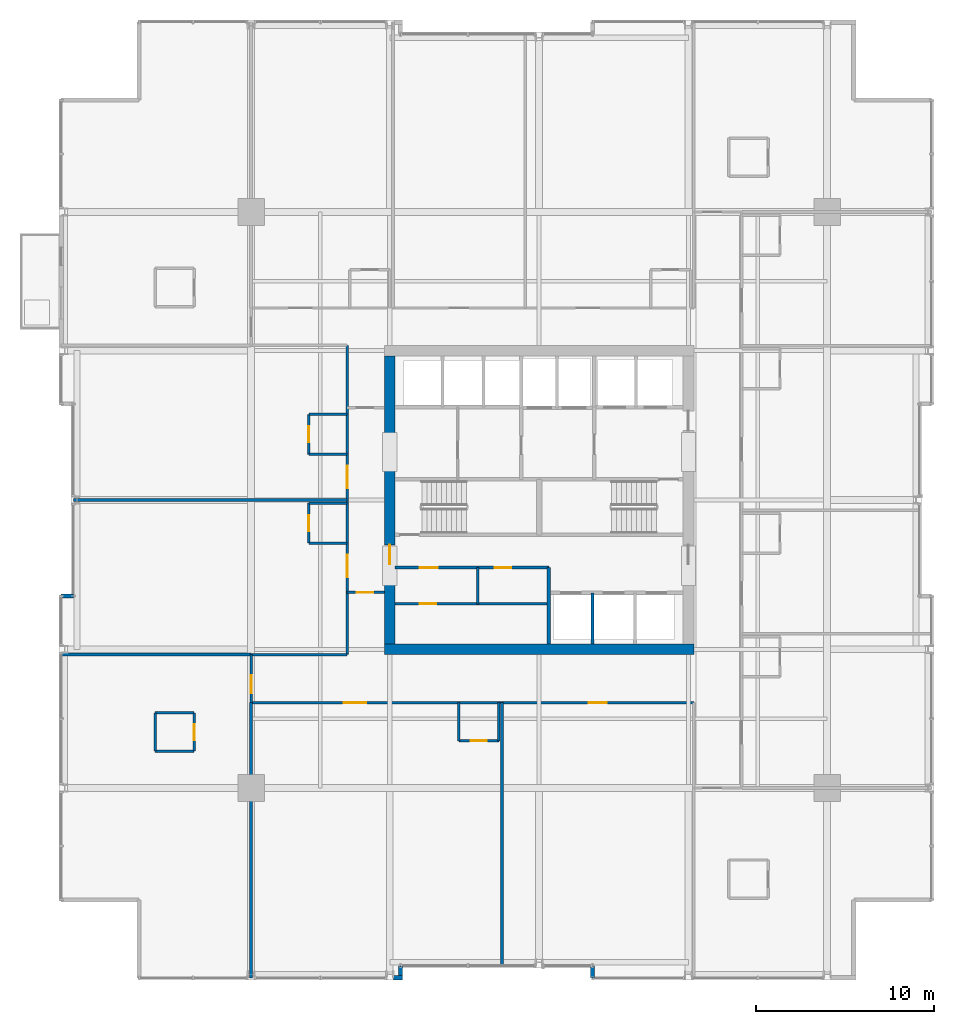
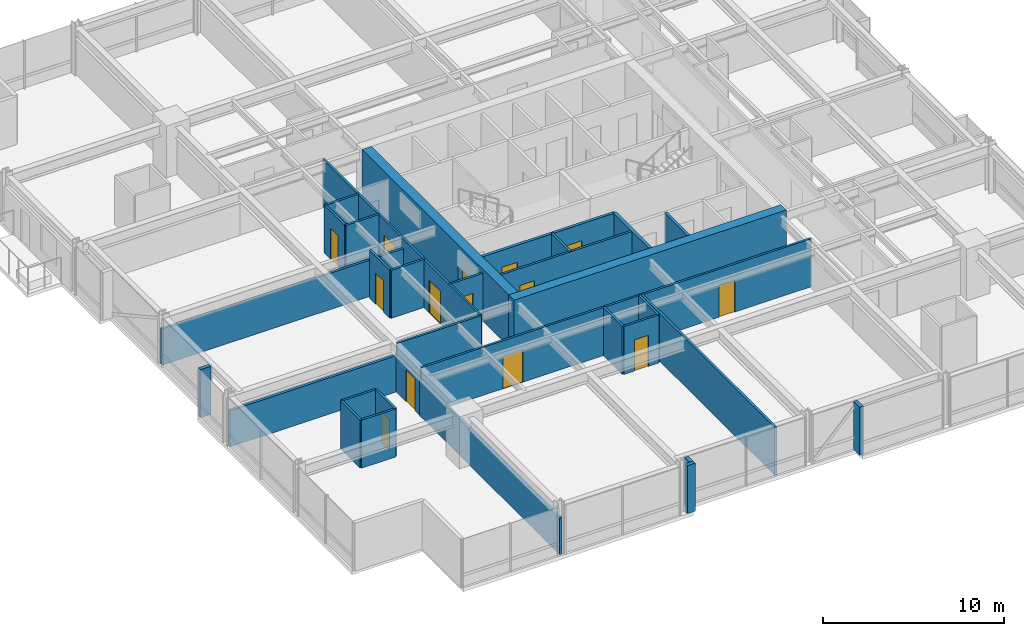
# One storey, part 28 of 34: 33 walls, 14 doors, 14 openings.
"""IFC4 building model written with IfcOpenShell, lengths in metres."""

import ifcopenshell
import ifcopenshell.guid

model = None  # the IFC model being written
_history = None  # IfcOwnerHistory: only IFC2X3 demands one
_inside = {}  # id of a spatial element -> (the spatial element, [elements in it])
_under = {}  # id of a project, library or spatial element -> (it, [spatial elements below it])
_declared = {}  # id of a project -> (the project, [libraries it declares])
_typed = {}  # id of a type object -> (the type object, [elements of that type])
_made_of = {}  # id of a material, layer set ... -> (it, [elements and type objects made of it])


def new_model(schema):
    """Start an empty IFC model of exactly this schema.

    Asked for "IFC4X3", IfcOpenShell would pick the latest addendum, in which some entities
    have other attributes; the version numbers below select the first issue.
    IFC2X3 requires an IfcOwnerHistory on every rooted entity: one is made here for all.
    """
    global model, _history
    if schema == "IFC4X3":
        model = ifcopenshell.file(schema_version=(4, 3, 0, 0))
    else:
        model = ifcopenshell.file(schema=schema)
    _inside.clear()
    _under.clear()
    _declared.clear()
    _typed.clear()
    _made_of.clear()
    _history = None
    if model.schema == "IFC2X3":
        org = make("IfcOrganization", Name="unknown")
        user = make(
            "IfcPersonAndOrganization",
            ThePerson=make("IfcPerson", FamilyName="unknown"),
            TheOrganization=org,
        )
        app = make(
            "IfcApplication",
            ApplicationDeveloper=org,
            Version="unknown",
            ApplicationFullName="unknown",
            ApplicationIdentifier="unknown",
        )
        _history = make(
            "IfcOwnerHistory",
            OwningUser=user,
            OwningApplication=app,
            ChangeAction="ADDED",
            CreationDate=0,
        )
    return model


def make(cls, **values):
    """One entity of the class cls with the attributes given. An attribute that is None is left unset."""
    return model.create_entity(
        cls, **{name: value for name, value in values.items() if value is not None}
    )


def rooted(cls, **values):
    """An entity with a GlobalId (a new one), such as an element, a storey or a relation."""
    return make(cls, GlobalId=ifcopenshell.guid.new(), OwnerHistory=_history, **values)


def si_unit(unit_type, name, prefix=None):
    """IfcSIUnit, for example si_unit("LENGTHUNIT", "METRE", prefix="MILLI")."""
    return make("IfcSIUnit", UnitType=unit_type, Prefix=prefix, Name=name)


def assignment(units):
    """IfcUnitAssignment: the units of a project."""
    return None if units is None else make("IfcUnitAssignment", Units=units)


def point(xyz):
    """IfcCartesianPoint."""
    return None if xyz is None else make("IfcCartesianPoint", Coordinates=xyz)


def direction(xyz):
    """IfcDirection."""
    return None if xyz is None else make("IfcDirection", DirectionRatios=xyz)


def frame(location, z_axis=None, x_axis=None):
    """IfcAxis2Placement3D, a coordinate frame: its origin and axes. An axis left out is left unset."""
    return make(
        "IfcAxis2Placement3D",
        Location=point(location),
        Axis=direction(z_axis),
        RefDirection=direction(x_axis),
    )


def frame_2d(location, x_axis=None):
    """IfcAxis2Placement2D, a coordinate frame in the plane: its origin and x axis."""
    return make(
        "IfcAxis2Placement2D", Location=point(location), RefDirection=direction(x_axis)
    )


def origin():
    """The frame at (0, 0, 0) with its axes left unset."""
    return frame((0.0, 0.0, 0.0))


def place(relative_to, where):
    """IfcLocalPlacement: puts the frame where relative to a parent placement (None: the world)."""
    return make(
        "IfcLocalPlacement", PlacementRelTo=relative_to, RelativePlacement=where
    )


def context(
    kind, dimensions, precision=None, world=None, true_north=None, identifier=None
):
    """IfcGeometricRepresentationContext, for example the 3D "Model" context."""
    return make(
        "IfcGeometricRepresentationContext",
        ContextIdentifier=identifier,
        ContextType=kind,
        CoordinateSpaceDimension=dimensions,
        Precision=precision,
        WorldCoordinateSystem=world,
        TrueNorth=true_north,
    )


def subcontext(parent, identifier, kind, view, scale=None):
    """IfcGeometricRepresentationSubContext, for example "Body" below "Model"."""
    return make(
        "IfcGeometricRepresentationSubContext",
        ContextIdentifier=identifier,
        ContextType=kind,
        ParentContext=parent,
        TargetScale=scale,
        TargetView=view,
    )


def project(units=None, contexts=None):
    """IfcProject with its units and contexts."""
    return rooted(
        "IfcProject",
        Name="project",
        RepresentationContexts=contexts,
        UnitsInContext=assignment(units),
    )


def spatial(cls, under=None, at=None, **own):
    """A site, building, storey or space (cls), placed at a placement, below another one or the project."""
    s = rooted(cls, ObjectPlacement=at, **own)
    if under is not None:
        _under.setdefault(under.id(), (under, []))[1].append(s)
    return s


def profile(cls, at=None, kind="AREA", **sizes):
    """A parametric profile (cls). Its sizes go by their IFC names, for example OverallWidth=200.0."""
    return make(cls, ProfileType=kind, Position=at, **sizes)


def rectangle(**sizes):
    """IfcRectangleProfileDef."""
    return profile("IfcRectangleProfileDef", **sizes)


def extrude(swept, where, along, depth):
    """IfcExtrudedAreaSolid: the profile swept, set in the frame where, extruded along a direction by depth."""
    return make(
        "IfcExtrudedAreaSolid",
        SweptArea=swept,
        Position=where,
        ExtrudedDirection=direction(along),
        Depth=depth,
    )


def shape(context_of_items, identifier, shape_type, items):
    """IfcShapeRepresentation: the items that make up one representation, for example the "Body"."""
    return make(
        "IfcShapeRepresentation",
        ContextOfItems=context_of_items,
        RepresentationIdentifier=identifier,
        RepresentationType=shape_type,
        Items=items,
    )


def material(Name=None, Category=None):
    """IfcMaterial."""
    return make("IfcMaterial", Name=Name, Category=Category)


def layer(
    of_material, thickness, ventilated=None, Name=None, Category=None, Priority=None
):
    """IfcMaterialLayer: one layer of a wall or slab, of a material (None: an air gap)."""
    return make(
        "IfcMaterialLayer",
        Material=of_material,
        LayerThickness=thickness,
        IsVentilated=ventilated,
        Name=Name,
        Category=Category,
        Priority=Priority,
    )


def layer_set(layers, Name=None):
    """IfcMaterialLayerSet."""
    return make("IfcMaterialLayerSet", MaterialLayers=layers, LayerSetName=Name)


def made_of(thing, what):
    """Note that an element or type object is made of a material, layer set ...; save() writes the relation."""
    if what is not None:
        _made_of.setdefault(what.id(), (what, []))[1].append(thing)
    return thing


def type_object(cls, material=None, **own):
    """A type object (cls), such as IfcWallType, which elements share."""
    return made_of(rooted(cls, **own), material)


def element(
    cls,
    number,
    at=None,
    inside=None,
    cuts=None,
    type_object=None,
    material=None,
    context=None,
    identifier="Body",
    shape_type=None,
    held_by="IfcProductDefinitionShape",
    body=None,
    shapes=None,
    **own,
):
    """One element of the class cls, such as IfcWall. Its Tag is "e" and its number.

    at: its placement. inside: the storey or other place that contains it. cuts: it is an
    opening in that element (IfcRelVoidsElement). A single representation is given by context,
    identifier, shape_type and body (its items); several are given by shapes. held_by: the class
    of the entity that holds the representations. save() writes the other relations.
    """
    e = rooted(cls, Tag="e%d" % number, ObjectPlacement=at, **own)
    if body is not None:
        shapes = [shape(context, identifier, shape_type, body)]
    if shapes is not None:
        e.Representation = make(held_by, Representations=shapes)
    if inside is not None:
        _inside.setdefault(inside.id(), (inside, []))[1].append(e)
    if cuts is not None:
        rooted(
            "IfcRelVoidsElement", RelatingBuildingElement=cuts, RelatedOpeningElement=e
        )
    if type_object is not None:
        _typed.setdefault(type_object.id(), (type_object, []))[1].append(e)
    return made_of(e, material)


def fill(opening, filler):
    """IfcRelFillsElement: the door or window that sits in an opening."""
    return rooted(
        "IfcRelFillsElement",
        RelatingOpeningElement=opening,
        RelatedBuildingElement=filler,
    )


def aggregate(whole, parts):
    """IfcRelAggregates: a whole, such as a stair, and the parts it consists of."""
    return rooted("IfcRelAggregates", RelatingObject=whole, RelatedObjects=parts)


def save(model, path):
    """Write the relations noted so far, then the file.

    IfcRelAggregates (storeys below a building ...), IfcRelContainedInSpatialStructure (elements
    in a storey), IfcRelDefinesByType, IfcRelAssociatesMaterial and IfcRelDeclares: one each for
    every whole, place, type object, material and project.
    """
    for whole, parts in _under.values():
        aggregate(whole, parts)
    for where, things in _inside.values():
        rooted(
            "IfcRelContainedInSpatialStructure",
            RelatedElements=things,
            RelatingStructure=where,
        )
    for kind, things in _typed.values():
        rooted("IfcRelDefinesByType", RelatedObjects=things, RelatingType=kind)
    for what, things in _made_of.values():
        rooted("IfcRelAssociatesMaterial", RelatedObjects=things, RelatingMaterial=what)
    for by, libraries in _declared.values():
        rooted("IfcRelDeclares", RelatingContext=by, RelatedDefinitions=libraries)
    model.write(path)


model = new_model("IFC4")

# Units and contexts
model_context = context("Model", 3, precision=1e-05, world=origin(), true_north=direction((0.0, 1.0)))
body_context = subcontext(model_context, "Body", "Model", "MODEL_VIEW")
ifc_project = project(units=[si_unit("LENGTHUNIT", "METRE"), si_unit("AREAUNIT", "SQUARE_METRE"), si_unit("VOLUMEUNIT", "CUBIC_METRE"), si_unit("PLANEANGLEUNIT", "RADIAN"), si_unit("MASSUNIT", "GRAM", prefix="KILO")], contexts=[model_context])

# Site, building, storey
site_placement = place(None, origin())
site = spatial("IfcSite", under=ifc_project, at=site_placement, CompositionType="ELEMENT")
building_placement = place(site_placement, origin())
building = spatial("IfcBuilding", under=site, at=building_placement, Name="Drelvath Grand Hotel", CompositionType="ELEMENT")
storey_placement = place(building_placement, frame((0.0, 0.0, 109.300048828125)))
storey = spatial("IfcBuildingStorey", under=building, at=storey_placement, Name="L27", CompositionType="ELEMENT", Elevation=109.300048828125)

# Walls
ifc_material_1 = material(Name="Concrete C40/50", Category="concrete")
ifc_layer_1 = layer(ifc_material_1, 0.199951171875)
ifc_layer_set_1 = layer_set([ifc_layer_1], Name="Concrete C40/50")
wall_type_1 = type_object("IfcWallType", Name="Core Hoistway Fire Wall 200", PredefinedType="SOLIDWALL", material=ifc_layer_set_1)
wall_1_placement = place(storey_placement, frame((0.550048828125, 18.89990234375, 0.0), z_axis=(0.0, 0.0, 1.0), x_axis=(0.0, 1.0, 0.0)))
element("IfcWall", 1, at=wall_1_placement, inside=storey, type_object=wall_type_1, Name="L27 Bank 2 West Wall", PredefinedType="SOLIDWALL", context=body_context, shape_type="SweptSolid", body=[
    extrude(rectangle(XDim=4.300048828125, YDim=0.199951171875, at=frame_2d((2.14990234375, 0.0))), origin(), (0.0, 0.0, 1.0), 3.239990234375),
])
ifc_material_2 = material(Name="Gypsum Fireboard Partition")
ifc_layer_2 = layer(ifc_material_2, 0.1650390625)
ifc_layer_set_2 = layer_set([ifc_layer_2], Name="Gypsum Fireboard Partition")
wall_type_2 = type_object("IfcWallType", Name="Core Shaft Partition 165", PredefinedType="PARTITIONING", material=ifc_layer_set_2)
wall_2_placement = place(storey_placement, frame((3.0, 18.89990234375, 0.0), z_axis=(0.0, 0.0, 1.0), x_axis=(0.0, 1.0, 0.0)))
element("IfcWall", 2, at=wall_2_placement, inside=storey, type_object=wall_type_2, Name="L27 Lift PE-4/5 Divider", PredefinedType="PARTITIONING", context=body_context, shape_type="SweptSolid", body=[
    extrude(rectangle(XDim=2.880126953125, YDim=0.1650390625, at=frame_2d((1.43994140625, 0.0))), origin(), (0.0, 0.0, 1.0), 3.239990234375),
])

# Wall, opening, door
ifc_layer_3 = layer(ifc_material_2, 0.135009765625)
ifc_layer_set_3 = layer_set([ifc_layer_3], Name="Gypsum Fireboard Partition")
wall_type_3 = type_object("IfcWallType", Name="Corridor Fire Barrier Wall 135", PredefinedType="PARTITIONING", material=ifc_layer_set_3)
wall_3_placement = place(storey_placement, frame((-10.800048828125, 21.800048828125, 0.0), z_axis=(0.0, 0.0, 1.0), x_axis=(1.0, 0.0, 0.0)))
wall_3 = element("IfcWall", 3, at=wall_3_placement, inside=storey, type_object=wall_type_3, Name="L27 West Foyer South Wall", PredefinedType="PARTITIONING", context=body_context, shape_type="SweptSolid", body=[
    extrude(rectangle(XDim=2.10009765625, YDim=0.135009765625, at=frame_2d((1.050048828125, 0.0))), origin(), (0.0, 0.0, 1.0), 3.239990234375),
])
opening_1_placement = place(wall_3_placement, frame((0.550048828125, 0.0, 0.0)))
opening_1 = element("IfcOpeningElement", 4, at=opening_1_placement, cuts=wall_3, Name="Opening D-T2G2-019", PredefinedType="OPENING", context=body_context, shape_type="SweptSolid", body=[
    extrude(rectangle(XDim=0.919921875, YDim=2.10009765625, at=frame_2d((0.4599609375, 1.050048828125))), frame((0.0, 0.077392578125, 0.0), z_axis=(0.0, -1.0, 0.0), x_axis=(1.0, 0.0, 0.0)), (0.0, 0.0, 1.0), 0.155029296875),
])
ifc_material_3 = material(Name="Painted Steel S275", Category="steel")
door_type_1 = type_object("IfcDoorType", Name="Staff Utility Door 920x2100", OperationType="NOTDEFINED", PredefinedType="DOOR", material=ifc_material_3)
door_1_placement = place(opening_1_placement, origin())
door_1 = element("IfcDoor", 5, at=door_1_placement, inside=storey, type_object=door_type_1, Name="L27 West Linen Closet Door", OperationType="SINGLE_SWING_RIGHT", OverallHeight=2.10009765625, OverallWidth=0.919921875, PredefinedType="DOOR", context=body_context, shape_type="SweptSolid", body=[
    extrude(rectangle(XDim=0.919921875, YDim=2.10009765625, at=frame_2d((0.4599609375, 1.050048828125))), frame((0.0, 0.02490234375, 0.0), z_axis=(0.0, -1.0, 0.0), x_axis=(1.0, 0.0, 0.0)), (0.0, 0.0, 1.0), 0.050048828125),
])
fill(opening_1, door_1)

# Wall
wall_4_placement = place(storey_placement, frame((-16.199951171875, 18.300048828125, 0.0), z_axis=(0.0, 0.0, 1.0), x_axis=(1.0, 0.0, 0.0)))
element("IfcWall", 6, at=wall_4_placement, inside=storey, type_object=wall_type_3, Name="L27 SW Stub North Wall", PredefinedType="PARTITIONING", context=body_context, shape_type="SweptSolid", body=[
    extrude(rectangle(XDim=5.39990234375, YDim=0.135009765625, at=frame_2d((2.699951171875, 0.0))), origin(), (0.0, 0.0, 1.0), 3.239990234375),
])

# Wall, openings, doors
wall_5_placement = place(storey_placement, frame((-16.199951171875, 15.60009765625, 0.0), z_axis=(0.0, 0.0, 1.0), x_axis=(1.0, 0.0, 0.0)))
wall_5 = element("IfcWall", 7, at=wall_5_placement, inside=storey, type_object=wall_type_3, Name="L27 South Stub Corridor Wall", PredefinedType="PARTITIONING", context=body_context, shape_type="SweptSolid", body=[
    extrude(rectangle(XDim=24.89990234375, YDim=0.135009765625, at=frame_2d((12.449951171875, 0.0))), origin(), (0.0, 0.0, 1.0), 3.239990234375),
])
opening_2_placement = place(wall_5_placement, frame((5.2099609375, 0.0, 0.0)))
opening_2 = element("IfcOpeningElement", 8, at=opening_2_placement, cuts=wall_5, Name="Opening D-T2G2-030", PredefinedType="OPENING", context=body_context, shape_type="SweptSolid", body=[
    extrude(rectangle(XDim=1.260009765625, YDim=2.199951171875, at=frame_2d((0.6298828125, 1.10009765625))), frame((0.0, 0.077392578125, 0.0), z_axis=(0.0, -1.0, 0.0), x_axis=(1.0, 0.0, 0.0)), (0.0, 0.0, 1.0), 0.155029296875),
])
opening_3_placement = place(wall_5_placement, frame((18.9951171875, 0.0, 0.0)))
opening_3 = element("IfcOpeningElement", 9, at=opening_3_placement, cuts=wall_5, Name="Opening D-T2G2-031", PredefinedType="OPENING", context=body_context, shape_type="SweptSolid", body=[
    extrude(rectangle(XDim=1.02001953125, YDim=2.14990234375, at=frame_2d((0.510009765625, 1.074951171875))), frame((0.0, 0.077392578125, 0.0), z_axis=(0.0, -1.0, 0.0), x_axis=(1.0, 0.0, 0.0)), (0.0, 0.0, 1.0), 0.155029296875),
])
ifc_material_4 = material(Name="Hardwood Walnut Timber", Category="wood")
door_type_2 = type_object("IfcDoorType", Name="Amenity Meeting Fire Door 1020x2150", OperationType="NOTDEFINED", PredefinedType="DOOR", material=ifc_material_4)
door_2_placement = place(opening_3_placement, origin())
door_2 = element("IfcDoor", 10, at=door_2_placement, inside=storey, type_object=door_type_2, Name="L27 Wellness Yoga Studio Entry Door", OperationType="SINGLE_SWING_RIGHT", OverallHeight=2.14990234375, OverallWidth=1.02001953125, PredefinedType="DOOR", context=body_context, shape_type="SweptSolid", body=[
    extrude(rectangle(XDim=1.02001953125, YDim=2.14990234375, at=frame_2d((0.510009765625, 1.074951171875))), frame((0.0, 0.02490234375, 0.0), z_axis=(0.0, -1.0, 0.0), x_axis=(1.0, 0.0, 0.0)), (0.0, 0.0, 1.0), 0.050048828125),
])
fill(opening_3, door_2)
door_type_3 = type_object("IfcDoorType", Name="Suite Entrance Fire Door 1260x2200", OperationType="NOTDEFINED", PredefinedType="DOOR", material=ifc_material_4)
door_3_placement = place(opening_2_placement, origin())
door_3 = element("IfcDoor", 11, at=door_3_placement, inside=storey, type_object=door_type_3, Name="L27 Corner Suite Entry Door", OperationType="SINGLE_SWING_LEFT", OverallHeight=2.199951171875, OverallWidth=1.260009765625, PredefinedType="DOOR", context=body_context, shape_type="SweptSolid", body=[
    extrude(rectangle(XDim=1.260009765625, YDim=2.199951171875, at=frame_2d((0.6298828125, 1.10009765625))), frame((0.0, 0.02490234375, 0.0), z_axis=(0.0, -1.0, 0.0), x_axis=(1.0, 0.0, 0.0)), (0.0, 0.0, 1.0), 0.050048828125),
])
fill(opening_2, door_3)

wall_6_placement = place(storey_placement, frame((-10.800048828125, 18.300048828125, 0.0), z_axis=(0.0, 0.0, 1.0), x_axis=(0.0, 1.0, 0.0)))
wall_6 = element("IfcWall", 12, at=wall_6_placement, inside=storey, type_object=wall_type_3, Name="L27 West Spine Wall", PredefinedType="PARTITIONING", context=body_context, shape_type="SweptSolid", body=[
    extrude(rectangle(XDim=17.39990234375, YDim=0.135009765625, at=frame_2d((8.699951171875, 0.0))), origin(), (0.0, 0.0, 1.0), 3.239990234375),
])
opening_4_placement = place(wall_6_placement, frame((4.35498046875, 0.0, 0.0)))
opening_4 = element("IfcOpeningElement", 13, at=opening_4_placement, cuts=wall_6, Name="Opening D-T2G2-046", PredefinedType="OPENING", context=body_context, shape_type="SweptSolid", body=[
    extrude(rectangle(XDim=1.260009765625, YDim=2.199951171875, at=frame_2d((0.6298828125, 1.10009765625))), frame((0.0, 0.077392578125, 0.0), z_axis=(0.0, -1.0, 0.0), x_axis=(1.0, 0.0, 0.0)), (0.0, 0.0, 1.0), 0.155029296875),
])
opening_5_placement = place(wall_6_placement, frame((9.35498046875, 0.0, 0.0)))
opening_5 = element("IfcOpeningElement", 14, at=opening_5_placement, cuts=wall_6, Name="Opening D-T2G2-048", PredefinedType="OPENING", context=body_context, shape_type="SweptSolid", body=[
    extrude(rectangle(XDim=1.260009765625, YDim=2.199951171875, at=frame_2d((0.6298828125, 1.10009765625))), frame((0.0, 0.077392578125, 0.0), z_axis=(0.0, -1.0, 0.0), x_axis=(1.0, 0.0, 0.0)), (0.0, 0.0, 1.0), 0.155029296875),
])
door_4_placement = place(opening_4_placement, origin())
door_4 = element("IfcDoor", 15, at=door_4_placement, inside=storey, type_object=door_type_3, Name="L27 Corner Suite Entry Door", OperationType="SINGLE_SWING_LEFT", OverallHeight=2.199951171875, OverallWidth=1.260009765625, PredefinedType="DOOR", context=body_context, shape_type="SweptSolid", body=[
    extrude(rectangle(XDim=1.260009765625, YDim=2.199951171875, at=frame_2d((0.6298828125, 1.10009765625))), frame((0.0, 0.02490234375, 0.0), z_axis=(0.0, -1.0, 0.0), x_axis=(1.0, 0.0, 0.0)), (0.0, 0.0, 1.0), 0.050048828125),
])
fill(opening_4, door_4)
door_5_placement = place(opening_5_placement, origin())
door_5 = element("IfcDoor", 16, at=door_5_placement, inside=storey, type_object=door_type_3, Name="L27 Corner Suite Entry Door", OperationType="SINGLE_SWING_LEFT", OverallHeight=2.199951171875, OverallWidth=1.260009765625, PredefinedType="DOOR", context=body_context, shape_type="SweptSolid", body=[
    extrude(rectangle(XDim=1.260009765625, YDim=2.199951171875, at=frame_2d((0.6298828125, 1.10009765625))), frame((0.0, 0.02490234375, 0.0), z_axis=(0.0, -1.0, 0.0), x_axis=(1.0, 0.0, 0.0)), (0.0, 0.0, 1.0), 0.050048828125),
])
fill(opening_5, door_5)

# Wall, opening, door
wall_7_placement = place(storey_placement, frame((-16.199951171875, 15.60009765625, 0.0), z_axis=(0.0, 0.0, 1.0), x_axis=(0.0, 1.0, 0.0)))
wall_7 = element("IfcWall", 17, at=wall_7_placement, inside=storey, type_object=wall_type_3, Name="L27 South Stub West End", PredefinedType="PARTITIONING", context=body_context, shape_type="SweptSolid", body=[
    extrude(rectangle(XDim=2.699951171875, YDim=0.135009765625, at=frame_2d((1.35009765625, 0.0))), origin(), (0.0, 0.0, 1.0), 2.45166015625),
])
opening_6_placement = place(wall_7_placement, frame((0.52001953125, 0.0, 0.0)))
opening_6 = element("IfcOpeningElement", 18, at=opening_6_placement, cuts=wall_7, Name="Opening D-T2G2-022", PredefinedType="OPENING", context=body_context, shape_type="SweptSolid", body=[
    extrude(rectangle(XDim=1.02001953125, YDim=2.14990234375, at=frame_2d((0.510009765625, 1.074951171875))), frame((0.0, 0.077392578125, 0.0), z_axis=(0.0, -1.0, 0.0), x_axis=(1.0, 0.0, 0.0)), (0.0, 0.0, 1.0), 0.155029296875),
])
door_6_placement = place(opening_6_placement, origin())
door_6 = element("IfcDoor", 19, at=door_6_placement, inside=storey, type_object=door_type_2, Name="L27 Corner Suite Entry Door", OperationType="SINGLE_SWING_LEFT", OverallHeight=2.14990234375, OverallWidth=1.02001953125, PredefinedType="DOOR", context=body_context, shape_type="SweptSolid", body=[
    extrude(rectangle(XDim=1.02001953125, YDim=2.14990234375, at=frame_2d((0.510009765625, 1.074951171875))), frame((0.0, 0.02490234375, 0.0), z_axis=(0.0, -1.0, 0.0), x_axis=(1.0, 0.0, 0.0)), (0.0, 0.0, 1.0), 0.050048828125),
])
fill(opening_6, door_6)

ifc_material_5 = material(Name="Moisture-Resistant Gypsum Board")
ifc_layer_4 = layer(ifc_material_5, 0.139892578125)
ifc_layer_set_4 = layer_set([ifc_layer_4], Name="Moisture-Resistant Gypsum Board")
wall_type_4 = type_object("IfcWallType", Name="En-Suite Plumbing Wall 140", PredefinedType="PLUMBINGWALL", material=ifc_layer_set_4)
wall_8_placement = place(storey_placement, frame((-8.10009765625, 21.159912109375, 0.0), z_axis=(0.0, 0.0, 1.0), x_axis=(1.0, 0.0, 0.0)))
wall_8 = element("IfcWall", 20, at=wall_8_placement, inside=storey, type_object=wall_type_4, Name="L27 Reclaimed Horizontal Wall", PredefinedType="PLUMBINGWALL", context=body_context, shape_type="SweptSolid", body=[
    extrude(rectangle(XDim=8.650146484375, YDim=0.139892578125, at=frame_2d((4.3251953125, 0.0))), origin(), (0.0, 0.0, 1.0), 3.239990234375),
])
opening_7_placement = place(wall_8_placement, frame((1.39990234375, 0.0, 0.0)))
opening_7 = element("IfcOpeningElement", 21, at=opening_7_placement, cuts=wall_8, Name="Opening D-T2G2-018", PredefinedType="OPENING", context=body_context, shape_type="SweptSolid", body=[
    extrude(rectangle(XDim=0.919921875, YDim=2.10009765625, at=frame_2d((0.4599609375, 1.050048828125))), frame((0.0, 0.079833984375, 0.0), z_axis=(0.0, -1.0, 0.0), x_axis=(1.0, 0.0, 0.0)), (0.0, 0.0, 1.0), 0.159912109375),
])
door_7_placement = place(opening_7_placement, origin())
door_7 = element("IfcDoor", 22, at=door_7_placement, inside=storey, type_object=door_type_1, Name="L27 Housekeeping Inner Door", OperationType="SINGLE_SWING_LEFT", OverallHeight=2.10009765625, OverallWidth=0.919921875, PredefinedType="DOOR", context=body_context, shape_type="SweptSolid", body=[
    extrude(rectangle(XDim=0.919921875, YDim=2.10009765625, at=frame_2d((0.4599609375, 1.050048828125))), frame((0.0, 0.02490234375, 0.0), z_axis=(0.0, -1.0, 0.0), x_axis=(1.0, 0.0, 0.0)), (0.0, 0.0, 1.0), 0.050048828125),
])
fill(opening_7, door_7)

# Walls
wall_9_placement = place(storey_placement, frame((-3.43994140625, 21.159912109375, 0.0), z_axis=(0.0, 0.0, 1.0), x_axis=(0.0, 1.0, 0.0)))
element("IfcWall", 23, at=wall_9_placement, inside=storey, type_object=wall_type_4, Name="L27 Staff WC Wall", PredefinedType="PLUMBINGWALL", context=body_context, shape_type="SweptSolid", body=[
    extrude(rectangle(XDim=2.0400390625, YDim=0.139892578125, at=frame_2d((1.02001953125, 0.0))), origin(), (0.0, 0.0, 1.0), 3.239990234375),
])
for number, where, z_axis, x_axis, name in (
    (24, (-21.60009765625, 12.8798828125, 0.0), (0.0, 0.0, 1.0), (1.0, 0.0, 0.0), "L27 Corner En-Suite South"),
    (25, (-21.60009765625, 15.030029296875, 0.0), (0.0, 0.0, 1.0), (1.0, 0.0, 0.0), "L27 Corner En-Suite North"),
):
    element("IfcWall", number, at=place(storey_placement, frame(where, z_axis=z_axis, x_axis=x_axis)), inside=storey, type_object=wall_type_4, Name=name, PredefinedType="PLUMBINGWALL", context=body_context, shape_type="SweptSolid", body=[
        extrude(rectangle(XDim=2.2001953125, YDim=0.139892578125, at=frame_2d((1.10009765625, 0.0))), origin(), (0.0, 0.0, 1.0), 3.239990234375),
    ])
wall_10_placement = place(storey_placement, frame((-21.60009765625, 12.8798828125, 0.0), z_axis=(0.0, 0.0, 1.0), x_axis=(0.0, 1.0, 0.0)))
element("IfcWall", 26, at=wall_10_placement, inside=storey, type_object=wall_type_4, Name="L27 Corner En-Suite West", PredefinedType="PLUMBINGWALL", context=body_context, shape_type="SweptSolid", body=[
    extrude(rectangle(XDim=2.150146484375, YDim=0.139892578125, at=frame_2d((1.0751953125, 0.0))), origin(), (0.0, 0.0, 1.0), 3.239990234375),
])

# Wall, opening, door
wall_11_placement = place(storey_placement, frame((-19.39990234375, 12.8798828125, 0.0), z_axis=(0.0, 0.0, 1.0), x_axis=(0.0, 1.0, 0.0)))
wall_11 = element("IfcWall", 27, at=wall_11_placement, inside=storey, type_object=wall_type_4, Name="L27 Corner En-Suite East", PredefinedType="PLUMBINGWALL", context=body_context, shape_type="SweptSolid", body=[
    extrude(rectangle(XDim=2.150146484375, YDim=0.139892578125, at=frame_2d((1.0751953125, 0.0))), origin(), (0.0, 0.0, 1.0), 3.239990234375),
])
opening_8_placement = place(wall_11_placement, frame((0.6201171875, 0.0, 0.0)))
opening_8 = element("IfcOpeningElement", 28, at=opening_8_placement, cuts=wall_11, Name="Opening D-T2G2-021", PredefinedType="OPENING", context=body_context, shape_type="SweptSolid", body=[
    extrude(rectangle(XDim=0.8798828125, YDim=2.10009765625, at=frame_2d((0.43994140625, 1.050048828125))), frame((0.0, 0.079833984375, 0.0), z_axis=(0.0, -1.0, 0.0), x_axis=(1.0, 0.0, 0.0)), (0.0, 0.0, 1.0), 0.159912109375),
])
door_type_4 = type_object("IfcDoorType", Name="En-Suite Bathroom Door 880x2100", OperationType="NOTDEFINED", PredefinedType="DOOR", material=ifc_material_4)
door_8_placement = place(opening_8_placement, origin())
door_8 = element("IfcDoor", 29, at=door_8_placement, inside=storey, type_object=door_type_4, Name="L27 Corner En-Suite Door", OperationType="SINGLE_SWING_RIGHT", OverallHeight=2.10009765625, OverallWidth=0.8798828125, PredefinedType="DOOR", context=body_context, shape_type="SweptSolid", body=[
    extrude(rectangle(XDim=0.8798828125, YDim=2.10009765625, at=frame_2d((0.43994140625, 1.050048828125))), frame((0.0, 0.02490234375, 0.0), z_axis=(0.0, -1.0, 0.0), x_axis=(1.0, 0.0, 0.0)), (0.0, 0.0, 1.0), 0.050048828125),
])
fill(opening_8, door_8)

# Walls
for number, where, z_axis, x_axis, name in (
    (30, (-4.52001953125, 15.60009765625, 0.0), (0.0, 0.0, 1.0), (0.0, -1.0, 0.0), "L27 En-Suite Left Wall"),
    (31, (-2.27001953125, 15.60009765625, 0.0), (0.0, 0.0, 1.0), (0.0, -1.0, 0.0), "L27 En-Suite Right Wall"),
):
    element("IfcWall", number, at=place(storey_placement, frame(where, z_axis=z_axis, x_axis=x_axis)), inside=storey, type_object=wall_type_4, Name=name, PredefinedType="PLUMBINGWALL", context=body_context, shape_type="SweptSolid", body=[
        extrude(rectangle(XDim=2.150146484375, YDim=0.139892578125, at=frame_2d((1.0751953125, 0.0))), origin(), (0.0, 0.0, 1.0), 3.239990234375),
    ])

# Wall, opening, door
wall_12_placement = place(storey_placement, frame((-4.52001953125, 13.449951171875, 0.0), z_axis=(0.0, 0.0, 1.0), x_axis=(1.0, 0.0, 0.0)))
wall_12 = element("IfcWall", 32, at=wall_12_placement, inside=storey, type_object=wall_type_4, Name="L27 En-Suite Front Wall", PredefinedType="PLUMBINGWALL", context=body_context, shape_type="SweptSolid", body=[
    extrude(rectangle(XDim=2.25, YDim=0.139892578125, at=frame_2d((1.125, 0.0))), origin(), (0.0, 0.0, 1.0), 3.239990234375),
])
opening_9_placement = place(wall_12_placement, frame((0.68505859375, 0.0, 0.0)))
opening_9 = element("IfcOpeningElement", 33, at=opening_9_placement, cuts=wall_12, Name="Opening D-T2G2-029", PredefinedType="OPENING", context=body_context, shape_type="SweptSolid", body=[
    extrude(rectangle(XDim=0.8798828125, YDim=2.10009765625, at=frame_2d((0.43994140625, 1.050048828125))), frame((0.0, 0.079833984375, 0.0), z_axis=(0.0, -1.0, 0.0), x_axis=(1.0, 0.0, 0.0)), (0.0, 0.0, 1.0), 0.159912109375),
])
door_9_placement = place(opening_9_placement, origin())
door_9 = element("IfcDoor", 34, at=door_9_placement, inside=storey, type_object=door_type_4, Name="L27 En-Suite Bathroom Door", OperationType="SINGLE_SWING_RIGHT", OverallHeight=2.10009765625, OverallWidth=0.8798828125, PredefinedType="DOOR", context=body_context, shape_type="SweptSolid", body=[
    extrude(rectangle(XDim=0.8798828125, YDim=2.10009765625, at=frame_2d((0.43994140625, 1.050048828125))), frame((0.0, 0.02490234375, 0.0), z_axis=(0.0, -1.0, 0.0), x_axis=(1.0, 0.0, 0.0)), (0.0, 0.0, 1.0), 0.050048828125),
])
fill(opening_9, door_9)

# Walls
wall_13_placement = place(storey_placement, frame((-10.800048828125, 24.570068359375, 0.0), z_axis=(0.0, 0.0, 1.0), x_axis=(-1.0, 0.0, 0.0)))
element("IfcWall", 35, at=wall_13_placement, inside=storey, type_object=wall_type_4, Name="L27 En-Suite Left Wall", PredefinedType="PLUMBINGWALL", context=body_context, shape_type="SweptSolid", body=[
    extrude(rectangle(XDim=2.14990234375, YDim=0.139892578125, at=frame_2d((1.074951171875, 0.0))), origin(), (0.0, 0.0, 1.0), 3.239990234375),
])
wall_14_placement = place(storey_placement, frame((-10.800048828125, 26.820068359375, 0.0), z_axis=(0.0, 0.0, 1.0), x_axis=(-1.0, 0.0, 0.0)))
element("IfcWall", 36, at=wall_14_placement, inside=storey, type_object=wall_type_4, Name="L27 En-Suite Right Wall", PredefinedType="PLUMBINGWALL", context=body_context, shape_type="SweptSolid", body=[
    extrude(rectangle(XDim=2.14990234375, YDim=0.139892578125, at=frame_2d((1.074951171875, 0.0))), origin(), (0.0, 0.0, 1.0), 2.617431640625),
])

# Wall, opening, door
wall_15_placement = place(storey_placement, frame((-12.949951171875, 24.570068359375, 0.0), z_axis=(0.0, 0.0, 1.0), x_axis=(0.0, 1.0, 0.0)))
wall_15 = element("IfcWall", 37, at=wall_15_placement, inside=storey, type_object=wall_type_4, Name="L27 En-Suite Front Wall", PredefinedType="PLUMBINGWALL", context=body_context, shape_type="SweptSolid", body=[
    extrude(rectangle(XDim=2.25, YDim=0.139892578125, at=frame_2d((1.125, 0.0))), origin(), (0.0, 0.0, 1.0), 3.239990234375),
])
opening_10_placement = place(wall_15_placement, frame((0.68505859375, 0.0, 0.0)))
opening_10 = element("IfcOpeningElement", 38, at=opening_10_placement, cuts=wall_15, Name="Opening D-T2G2-045", PredefinedType="OPENING", context=body_context, shape_type="SweptSolid", body=[
    extrude(rectangle(XDim=0.8798828125, YDim=2.10009765625, at=frame_2d((0.43994140625, 1.050048828125))), frame((0.0, 0.079833984375, 0.0), z_axis=(0.0, -1.0, 0.0), x_axis=(1.0, 0.0, 0.0)), (0.0, 0.0, 1.0), 0.159912109375),
])
door_10_placement = place(opening_10_placement, origin())
door_10 = element("IfcDoor", 39, at=door_10_placement, inside=storey, type_object=door_type_4, Name="L27 En-Suite Bathroom Door", OperationType="SINGLE_SWING_RIGHT", OverallHeight=2.10009765625, OverallWidth=0.8798828125, PredefinedType="DOOR", context=body_context, shape_type="SweptSolid", body=[
    extrude(rectangle(XDim=0.8798828125, YDim=2.10009765625, at=frame_2d((0.43994140625, 1.050048828125))), frame((0.0, 0.02490234375, 0.0), z_axis=(0.0, -1.0, 0.0), x_axis=(1.0, 0.0, 0.0)), (0.0, 0.0, 1.0), 0.050048828125),
])
fill(opening_10, door_10)

# Walls
for number, where, z_axis, x_axis, name in (
    (40, (-10.800048828125, 29.570068359375, 0.0), (0.0, 0.0, 1.0), (-1.0, 0.0, 0.0), "L27 En-Suite Left Wall"),
    (41, (-10.800048828125, 31.820068359375, 0.0), (0.0, 0.0, 1.0), (-1.0, 0.0, 0.0), "L27 En-Suite Right Wall"),
):
    element("IfcWall", number, at=place(storey_placement, frame(where, z_axis=z_axis, x_axis=x_axis)), inside=storey, type_object=wall_type_4, Name=name, PredefinedType="PLUMBINGWALL", context=body_context, shape_type="SweptSolid", body=[
        extrude(rectangle(XDim=2.14990234375, YDim=0.139892578125, at=frame_2d((1.074951171875, 0.0))), origin(), (0.0, 0.0, 1.0), 3.239990234375),
    ])

# Wall, opening, door
wall_16_placement = place(storey_placement, frame((-12.949951171875, 29.570068359375, 0.0), z_axis=(0.0, 0.0, 1.0), x_axis=(0.0, 1.0, 0.0)))
wall_16 = element("IfcWall", 42, at=wall_16_placement, inside=storey, type_object=wall_type_4, Name="L27 En-Suite Front Wall", PredefinedType="PLUMBINGWALL", context=body_context, shape_type="SweptSolid", body=[
    extrude(rectangle(XDim=2.25, YDim=0.139892578125, at=frame_2d((1.125, 0.0))), origin(), (0.0, 0.0, 1.0), 3.239990234375),
])
opening_11_placement = place(wall_16_placement, frame((0.68505859375, 0.0, 0.0)))
opening_11 = element("IfcOpeningElement", 43, at=opening_11_placement, cuts=wall_16, Name="Opening D-T2G2-047", PredefinedType="OPENING", context=body_context, shape_type="SweptSolid", body=[
    extrude(rectangle(XDim=0.8798828125, YDim=2.10009765625, at=frame_2d((0.43994140625, 1.050048828125))), frame((0.0, 0.079833984375, 0.0), z_axis=(0.0, -1.0, 0.0), x_axis=(1.0, 0.0, 0.0)), (0.0, 0.0, 1.0), 0.159912109375),
])
door_11_placement = place(opening_11_placement, origin())
door_11 = element("IfcDoor", 44, at=door_11_placement, inside=storey, type_object=door_type_4, Name="L27 En-Suite Bathroom Door", OperationType="SINGLE_SWING_RIGHT", OverallHeight=2.10009765625, OverallWidth=0.8798828125, PredefinedType="DOOR", context=body_context, shape_type="SweptSolid", body=[
    extrude(rectangle(XDim=0.8798828125, YDim=2.10009765625, at=frame_2d((0.43994140625, 1.050048828125))), frame((0.0, 0.02490234375, 0.0), z_axis=(0.0, -1.0, 0.0), x_axis=(1.0, 0.0, 0.0)), (0.0, 0.0, 1.0), 0.050048828125),
])
fill(opening_11, door_11)

# Wall, openings, doors
ifc_layer_5 = layer(ifc_material_2, 0.179931640625)
ifc_layer_set_5 = layer_set([ifc_layer_5], Name="Gypsum Fireboard Partition")
wall_type_5 = type_object("IfcWallType", Name="FSAE Smoke Lobby Fire Wall 180", PredefinedType="SOLIDWALL", material=ifc_layer_set_5)
wall_17_placement = place(storey_placement, frame((-8.10009765625, 23.199951171875, 0.0), z_axis=(0.0, 0.0, 1.0), x_axis=(1.0, 0.0, 0.0)))
wall_17 = element("IfcWall", 45, at=wall_17_placement, inside=storey, type_object=wall_type_5, Name="L27 Reclaimed Core Room Wall", PredefinedType="SOLIDWALL", context=body_context, shape_type="SweptSolid", body=[
    extrude(rectangle(XDim=8.650146484375, YDim=0.179931640625, at=frame_2d((4.3251953125, 0.0))), origin(), (0.0, 0.0, 1.0), 3.239990234375),
])
opening_12_placement = place(wall_17_placement, frame((1.39990234375, 0.0, 0.0)))
opening_12 = element("IfcOpeningElement", 46, at=opening_12_placement, cuts=wall_17, Name="Opening D-T2G2-016", PredefinedType="OPENING", context=body_context, shape_type="SweptSolid", body=[
    extrude(rectangle(XDim=1.0, YDim=2.10009765625, at=frame_2d((0.5, 1.050048828125))), frame((0.0, 0.099853515625, 0.0), z_axis=(0.0, -1.0, 0.0), x_axis=(1.0, 0.0, 0.0)), (0.0, 0.0, 1.0), 0.199951171875),
])
opening_13_placement = place(wall_17_placement, frame((5.60009765625, 0.0, 0.0)))
opening_13 = element("IfcOpeningElement", 47, at=opening_13_placement, cuts=wall_17, Name="Opening D-T2G2-017", PredefinedType="OPENING", context=body_context, shape_type="SweptSolid", body=[
    extrude(rectangle(XDim=0.919921875, YDim=2.10009765625, at=frame_2d((0.4599609375, 1.050048828125))), frame((0.0, 0.099853515625, 0.0), z_axis=(0.0, -1.0, 0.0), x_axis=(1.0, 0.0, 0.0)), (0.0, 0.0, 1.0), 0.199951171875),
])
door_type_5 = type_object("IfcDoorType", Name="Core Service Fire Door 1000x2100", OperationType="NOTDEFINED", PredefinedType="DOOR", material=ifc_material_3)
door_12_placement = place(opening_12_placement, origin())
door_12 = element("IfcDoor", 48, at=door_12_placement, inside=storey, type_object=door_type_5, Name="L27 Valet Room Door", OperationType="SINGLE_SWING_LEFT", OverallHeight=2.10009765625, OverallWidth=1.0, PredefinedType="DOOR", context=body_context, shape_type="SweptSolid", body=[
    extrude(rectangle(XDim=1.0, YDim=2.10009765625, at=frame_2d((0.5, 1.050048828125))), frame((0.0, 0.02490234375, 0.0), z_axis=(0.0, -1.0, 0.0), x_axis=(1.0, 0.0, 0.0)), (0.0, 0.0, 1.0), 0.050048828125),
])
fill(opening_12, door_12)
door_13_placement = place(opening_13_placement, origin())
door_13 = element("IfcDoor", 49, at=door_13_placement, inside=storey, type_object=door_type_5, Name="L27 Staff WC Door", OperationType="SINGLE_SWING_RIGHT", OverallHeight=2.10009765625, OverallWidth=0.919921875, PredefinedType="DOOR", context=body_context, shape_type="SweptSolid", body=[
    extrude(rectangle(XDim=0.919921875, YDim=2.10009765625, at=frame_2d((0.4599609375, 1.050048828125))), frame((0.0, 0.02490234375, 0.0), z_axis=(0.0, -1.0, 0.0), x_axis=(1.0, 0.0, 0.0)), (0.0, 0.0, 1.0), 0.050048828125),
])
fill(opening_13, door_13)

# Walls
ifc_material_6 = material(Name="Gypsum Acoustic Partition")
ifc_layer_6 = layer(ifc_material_6, 0.14990234375)
ifc_layer_set_6 = layer_set([ifc_layer_6], Name="Gypsum Acoustic Partition")
wall_type_6 = type_object("IfcWallType", Name="Guestroom Demising Wall 150", PredefinedType="PARTITIONING", material=ifc_layer_set_6)
wall_18_placement = place(storey_placement, frame((-2.090087890625, 0.800048828125, 0.0), z_axis=(0.0, 0.0, 1.0), x_axis=(0.0, 1.0, 0.0)))
element("IfcWall", 50, at=wall_18_placement, inside=storey, type_object=wall_type_6, Name="L27 South Demising 1", PredefinedType="PARTITIONING", context=body_context, shape_type="SweptSolid", body=[
    extrude(rectangle(XDim=14.800048828125, YDim=0.14990234375, at=frame_2d((7.39990234375, 0.0))), origin(), (0.0, 0.0, 1.0), 3.239990234375),
])
wall_19_placement = place(storey_placement, frame((-26.199951171875, 27.0, 0.0), z_axis=(0.0, 0.0, 1.0), x_axis=(1.0, 0.0, 0.0)))
element("IfcWall", 51, at=wall_19_placement, inside=storey, type_object=wall_type_6, Name="L27 West Suite Demising Wall", PredefinedType="PARTITIONING", context=body_context, shape_type="SweptSolid", body=[
    extrude(rectangle(XDim=15.39990234375, YDim=0.14990234375, at=frame_2d((7.699951171875, 0.0))), origin(), (0.0, 0.0, 1.0), 2.45166015625),
])
ifc_material_7 = material(Name="Concrete f'c 70 MPa", Category="concrete")
ifc_layer_7 = layer(ifc_material_7, 0.60009765625)
ifc_layer_set_7 = layer_set([ifc_layer_7], Name="Concrete f'c 70 MPa")
wall_type_7 = type_object("IfcWallType", Name="Lower Core RC Shear Wall 600", PredefinedType="SHEAR", material=ifc_layer_set_7)
wall_20_placement = place(storey_placement, frame((8.699951171875, 18.60009765625, 0.0), z_axis=(0.0, 0.0, 1.0), x_axis=(-1.0, 0.0, 0.0)))
element("IfcWall", 52, at=wall_20_placement, inside=storey, type_object=wall_type_7, Name="L27 Central Core Shear Wall S", PredefinedType="SHEAR", context=body_context, shape_type="SweptSolid", body=[
    extrude(rectangle(XDim=17.39990234375, YDim=0.60009765625, at=frame_2d((8.699951171875, 0.0))), origin(), (0.0, 0.0, 1.0), 3.5),
])

# Wall, opening, door
wall_21_placement = place(storey_placement, frame((-8.39990234375, 18.89990234375, 0.0), z_axis=(0.0, 0.0, 1.0), x_axis=(0.0, 1.0, 0.0)))
wall_21 = element("IfcWall", 53, at=wall_21_placement, inside=storey, type_object=wall_type_7, Name="L27 Central Core Shear Wall W", PredefinedType="SHEAR", context=body_context, shape_type="SweptSolid", body=[
    extrude(rectangle(XDim=16.2001953125, YDim=0.60009765625, at=frame_2d((8.10009765625, 0.0))), origin(), (0.0, 0.0, 1.0), 3.5),
])
opening_14_placement = place(wall_21_placement, frame((4.5, 0.0, 0.0)))
opening_14 = element("IfcOpeningElement", 54, at=opening_14_placement, cuts=wall_21, Name="Opening D-T2G2-014", PredefinedType="OPENING", context=body_context, shape_type="SweptSolid", body=[
    extrude(rectangle(XDim=1.080078125, YDim=2.0400390625, at=frame_2d((0.5400390625, 1.02001953125))), frame((0.0, 0.31005859375, 0.0), z_axis=(0.0, -1.0, 0.0), x_axis=(1.0, 0.0, 0.0)), (0.0, 0.0, 1.0), 0.6201171875),
])
door_type_6 = type_object("IfcDoorType", Name="Core Corridor Fire Door 1080x2100", OperationType="NOTDEFINED", PredefinedType="DOOR", material=ifc_material_3)
door_14_placement = place(opening_14_placement, origin())
door_14 = element("IfcDoor", 55, at=door_14_placement, inside=storey, type_object=door_type_6, Name="L27 Mid-Rise Lobby West Door", OperationType="SINGLE_SWING_LEFT", OverallHeight=2.0400390625, OverallWidth=1.080078125, PredefinedType="DOOR", context=body_context, shape_type="SweptSolid", body=[
    extrude(rectangle(XDim=1.080078125, YDim=2.0400390625, at=frame_2d((0.5400390625, 1.02001953125))), frame((0.0, 0.02490234375, 0.0), z_axis=(0.0, -1.0, 0.0), x_axis=(1.0, 0.0, 0.0)), (0.0, 0.0, 1.0), 0.050048828125),
])
fill(opening_14, door_14)

# Walls
ifc_layer_8 = layer(ifc_material_6, 0.1650390625)
ifc_layer_set_8 = layer_set([ifc_layer_8], Name="Gypsum Acoustic Partition")
wall_type_8 = type_object("IfcWallType", Name="Suite Demising Wall 165", PredefinedType="PARTITIONING", material=ifc_layer_set_8)
wall_22_placement = place(storey_placement, frame((-16.199951171875, 0.1201171875, 0.0), z_axis=(0.0, 0.0, 1.0), x_axis=(0.0, 1.0, 0.0)))
element("IfcWall", 56, at=wall_22_placement, inside=storey, type_object=wall_type_8, Name="L27 SW Suite East Wall", PredefinedType="PARTITIONING", context=body_context, shape_type="SweptSolid", body=[
    extrude(rectangle(XDim=15.47998046875, YDim=0.1650390625, at=frame_2d((7.739990234375, 0.0))), origin(), (0.0, 0.0, 1.0), 2.45166015625),
])
wall_23_placement = place(storey_placement, frame((-26.8798828125, 18.300048828125, 0.0), z_axis=(0.0, 0.0, 1.0), x_axis=(1.0, 0.0, 0.0)))
element("IfcWall", 57, at=wall_23_placement, inside=storey, type_object=wall_type_8, Name="L27 SW Suite North Wall", PredefinedType="PARTITIONING", context=body_context, shape_type="SweptSolid", body=[
    extrude(rectangle(XDim=10.679931640625, YDim=0.1650390625, at=frame_2d((5.33984375, 0.0))), origin(), (0.0, 0.0, 1.0), 2.45166015625),
])
ifc_material_8 = material(Name="Pale-Metal Insulated Aluminium Spandrel Assembly", Category="aluminium")
ifc_layer_9 = layer(ifc_material_8, 0.239990234375)
ifc_layer_set_9 = layer_set([ifc_layer_9], Name="Pale-Metal Insulated Aluminium Spandrel Assembly")
wall_type_9 = type_object("IfcWallType", Name="Tower Insulated Metal Spandrel Closure Wall 240", PredefinedType="STANDARD", material=ifc_layer_set_9)
wall_24_placement = place(storey_placement, frame((-7.679931640625, 0.1201171875, 0.0), z_axis=(0.0, 0.0, 1.0), x_axis=(-1.0, 0.0, 0.0)))
element("IfcWall", 58, at=wall_24_placement, inside=storey, type_object=wall_type_9, Name="L27 Corner Pier Spandrel Wall SW3", PredefinedType="STANDARD", context=body_context, shape_type="SweptSolid", body=[
    extrude(rectangle(XDim=0.50048828125, YDim=0.239990234375, at=frame_2d((0.250244140625, 0.0))), origin(), (0.0, 0.0, 1.0), 3.239990234375),
])
for number, where, z_axis, x_axis, name in (
    (59, (-26.8798828125, 21.60009765625, 0.0), (0.0, 0.0, 1.0), (1.0, 0.0, 0.0), "L27 Notched Corner Return Spandrel Wall RW1"),
    (60, (3.0, 0.1201171875, 0.0), (0.0, 0.0, 1.0), (0.0, 1.0, 0.0), "L27 Notched Corner Return Spandrel Wall RS1"),
):
    element("IfcWall", number, at=place(storey_placement, frame(where, z_axis=z_axis, x_axis=x_axis)), inside=storey, type_object=wall_type_9, Name=name, PredefinedType="STANDARD", context=body_context, shape_type="SweptSolid", body=[
        extrude(rectangle(XDim=0.679931640625, YDim=0.239990234375, at=frame_2d((0.33984375, 0.0))), origin(), (0.0, 0.0, 1.0), 3.239990234375),
    ])
wall_25_placement = place(storey_placement, frame((-7.800048828125, 0.800048828125, 0.0), z_axis=(0.0, 0.0, 1.0), x_axis=(0.0, -1.0, 0.0)))
element("IfcWall", 61, at=wall_25_placement, inside=storey, type_object=wall_type_9, Name="L27 Notched Corner Return Spandrel Wall RS2", PredefinedType="STANDARD", context=body_context, shape_type="SweptSolid", body=[
    extrude(rectangle(XDim=0.56005859375, YDim=0.239990234375, at=frame_2d((0.280029296875, 0.0))), origin(), (0.0, 0.0, 1.0), 3.239990234375),
])

save(model, "model.ifc")
